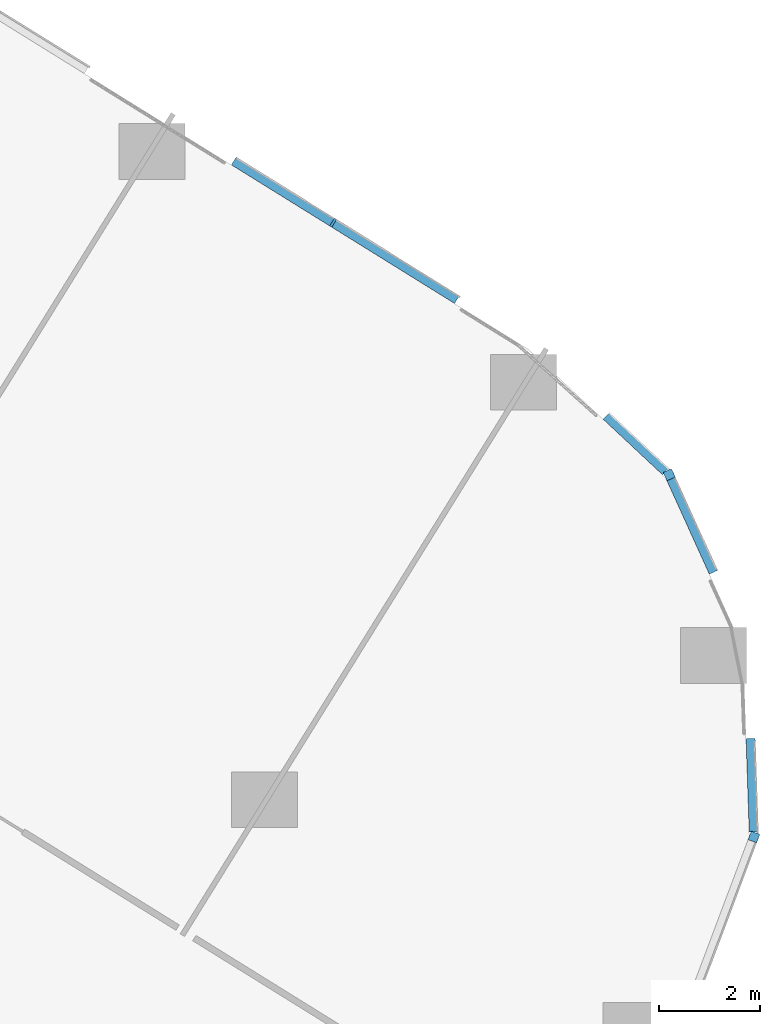
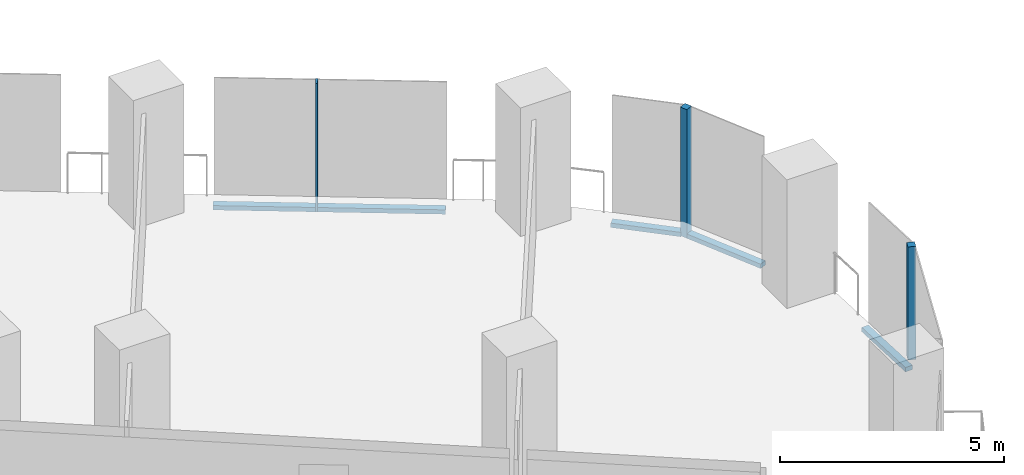
# One storey, part 10 of 34: 7 members, 5 elements without a shape of their own.
"""IFC4 building model written with IfcOpenShell, lengths in metres."""

from ifc_helpers import new_model, si_unit, direction, frame, origin, origin_2d, place, context, subcontext, project, spatial, rectangle, extrude, material, material_profile, profile_set, type_object, element, aggregate, save


model = new_model("IFC4")

# Units and contexts
model_context = context("Model", 3, precision=1e-05, world=origin(), true_north=direction((0.0, 1.0)))
body_context = subcontext(model_context, "Body", "Model", "MODEL_VIEW")
ifc_project = project(units=[si_unit("LENGTHUNIT", "METRE"), si_unit("AREAUNIT", "SQUARE_METRE"), si_unit("VOLUMEUNIT", "CUBIC_METRE"), si_unit("PLANEANGLEUNIT", "RADIAN"), si_unit("MASSUNIT", "GRAM", prefix="KILO")], contexts=[model_context])

# Site, building, storey
site_placement = place(None, origin())
site = spatial("IfcSite", under=ifc_project, at=site_placement, CompositionType="ELEMENT")
building_placement = place(site_placement, origin())
building = spatial("IfcBuilding", under=site, at=building_placement, Name="Orlundy Tower", CompositionType="ELEMENT")
storey_placement = place(building_placement, frame((0.0, 0.0, 37.300048828125)))
storey = spatial("IfcBuildingStorey", under=building, at=storey_placement, Name="L07", CompositionType="ELEMENT", Elevation=37.300048828125)

# Curtain wall, member
ifc_material_1 = material(Name="Aluminium bronze anodised", Category="aluminium")
curtain_wall_type = type_object("IfcCurtainWallType", Name="CW1 wall", PredefinedType="NOTDEFINED", material=ifc_material_1)
curtain_wall_1_placement = place(storey_placement, origin())
curtain_wall_1 = element("IfcCurtainWall", 1, at=curtain_wall_1_placement, inside=storey, type_object=curtain_wall_type, Name="CW1 run 08", PredefinedType="NOTDEFINED")
ifc_material_2 = material(Name="Aluminium bronze anodised", Category="aluminium")
ifc_material_profile_1 = material_profile(ifc_material_2, rectangle(XDim=0.179931640625, YDim=0.179931640625, at=origin_2d()), Name="CW1 corner post 180x180")
ifc_profile_set_1 = profile_set([ifc_material_profile_1], Name="Aluminium bronze anodised")
member_type_1 = type_object("IfcMemberType", Name="CW1 corner post 180x180", PredefinedType="MULLION", material=ifc_profile_set_1)
member_1_placement = place(storey_placement, frame((55.810546875, -11.859375, -0.420166015625), z_axis=(0.0, 0.0, 1.0), x_axis=(0.91057887201, 0.413335357608, 0.0)))
member_1 = element("IfcMember", 2, at=member_1_placement, type_object=member_type_1, Name="CW1 mullion 33", PredefinedType="MULLION", context=body_context, shape_type="SweptSolid", body=[
    extrude(rectangle(XDim=0.179931640625, YDim=0.179931640625, at=origin_2d()), origin(), (0.0, 0.0, 1.0), 3.5),
])

curtain_wall_2_placement = place(storey_placement, origin())
curtain_wall_2 = element("IfcCurtainWall", 3, at=curtain_wall_2_placement, inside=storey, type_object=curtain_wall_type, Name="CW1 run 010", PredefinedType="NOTDEFINED")
member_2_placement = place(storey_placement, frame((57.482666015625, -19.0078125, 0.0), z_axis=(0.0, 0.0, 1.0), x_axis=(0.936173864009, -0.351537332791, 0.0)))
member_2 = element("IfcMember", 4, at=member_2_placement, type_object=member_type_1, Name="CW1 mullion 35", PredefinedType="MULLION", context=body_context, shape_type="SweptSolid", body=[
    extrude(rectangle(XDim=0.179931640625, YDim=0.179931640625, at=origin_2d()), origin(), (0.0, 0.0, 1.0), 3.079833984375),
])
aggregate(curtain_wall_2, [member_2])

# Curtain wall, members
curtain_wall_3_placement = place(storey_placement, origin())
curtain_wall_3 = element("IfcCurtainWall", 5, at=curtain_wall_3_placement, inside=storey, type_object=curtain_wall_type, Name="CW1 run 06", PredefinedType="NOTDEFINED")
ifc_material_3 = material(Name="Aluminium bronze anodised", Category="aluminium")
ifc_material_profile_2 = material_profile(ifc_material_3, rectangle(XDim=0.179931640625, YDim=0.050048828125, at=origin_2d()), Name="CW1 mullion 50x180")
ifc_profile_set_2 = profile_set([ifc_material_profile_2], Name="Aluminium bronze anodised")
member_type_2 = type_object("IfcMemberType", Name="CW1 mullion 50x180", PredefinedType="MULLION", material=ifc_profile_set_2)
member_3_placement = place(storey_placement, frame((49.177001953125, -6.88427734375, -0.420166015625), z_axis=(0.0, 0.0, 1.0), x_axis=(0.527453271529, 0.849584043137, 0.0)))
member_3 = element("IfcMember", 6, at=member_3_placement, type_object=member_type_2, Name="CW1 mullion 31", PredefinedType="MULLION", context=body_context, shape_type="SweptSolid", body=[
    extrude(rectangle(XDim=0.179931640625, YDim=0.050048828125, at=origin_2d()), origin(), (0.0, 0.0, 1.0), 3.5),
])
ifc_material_4 = material(Name="Aluminium bronze anodised", Category="aluminium")
ifc_material_profile_3 = material_profile(ifc_material_4, rectangle(XDim=0.179931640625, YDim=0.1201171875, at=origin_2d()), Name="CW1 transom 180x120")
ifc_profile_set_3 = profile_set([ifc_material_profile_3], Name="Aluminium bronze anodised")
member_type_3 = type_object("IfcMemberType", Name="CW1 transom 180x120", PredefinedType="USERDEFINED", material=ifc_profile_set_3)
member_4_placement = place(storey_placement, frame((47.21728515625, -5.66748046875, -0.360107421875), z_axis=(0.84958704989, -0.527448428435, 0.0), x_axis=(0.527448428435, 0.84958704989, 0.0)))
member_4 = element("IfcMember", 7, at=member_4_placement, type_object=member_type_3, Name="CW1 transom", ObjectType="TRANSOM", PredefinedType="USERDEFINED", context=body_context, shape_type="SweptSolid", body=[
    extrude(rectangle(XDim=0.179931640625, YDim=0.1201171875, at=origin_2d()), origin(), (0.0, 0.0, 1.0), 5.1845703125),
])
aggregate(curtain_wall_3, [member_3, member_4])

# Curtain wall, member
curtain_wall_4_placement = place(storey_placement, origin())
curtain_wall_4 = element("IfcCurtainWall", 8, at=curtain_wall_4_placement, inside=storey, type_object=curtain_wall_type, Name="CW1 run 07", PredefinedType="NOTDEFINED")
member_5_placement = place(storey_placement, frame((54.56884765625, -10.698486328125, -0.360107421875), z_axis=(0.730472417177, -0.682942199417, 0.0), x_axis=(0.682942199417, 0.730472417177, 0.0)))
member_5 = element("IfcMember", 9, at=member_5_placement, type_object=member_type_3, Name="CW1 transom", ObjectType="TRANSOM", PredefinedType="USERDEFINED", context=body_context, shape_type="SweptSolid", body=[
    extrude(rectangle(XDim=0.179931640625, YDim=0.1201171875, at=origin_2d()), origin(), (0.0, 0.0, 1.0), 1.6025390625),
])
aggregate(curtain_wall_4, [member_5])

# Member
member_6_placement = place(storey_placement, frame((55.84765625, -11.94140625, -0.360107421875), z_axis=(0.413402887166, -0.910548215573, 0.0), x_axis=(0.910548215573, 0.413402887166, 0.0)))
member_6 = element("IfcMember", 10, at=member_6_placement, type_object=member_type_3, Name="CW1 transom", ObjectType="TRANSOM", PredefinedType="USERDEFINED", context=body_context, shape_type="SweptSolid", body=[
    extrude(rectangle(XDim=0.179931640625, YDim=0.1201171875, at=origin_2d()), origin(), (0.0, 0.0, 1.0), 2.023193359375),
])

aggregate(curtain_wall_1, [member_1, member_6])

# Curtain wall, member
curtain_wall_5_placement = place(storey_placement, origin())
curtain_wall_5 = element("IfcCurtainWall", 11, at=curtain_wall_5_placement, inside=storey, type_object=curtain_wall_type, Name="CW1 run 09", PredefinedType="NOTDEFINED")
member_7_placement = place(storey_placement, frame((57.41748046875, -17.06640625, -0.360107421875), z_axis=(0.033477847652, -0.999439459756, 0.0), x_axis=(0.999439459756, 0.033477847652, 0.0)))
member_7 = element("IfcMember", 12, at=member_7_placement, type_object=member_type_3, Name="CW1 transom", ObjectType="TRANSOM", PredefinedType="USERDEFINED", context=body_context, shape_type="SweptSolid", body=[
    extrude(rectangle(XDim=0.179931640625, YDim=0.1201171875, at=origin_2d()), origin(), (0.0, 0.0, 1.0), 1.844970703125),
])
aggregate(curtain_wall_5, [member_7])

save(model, "model.ifc")
